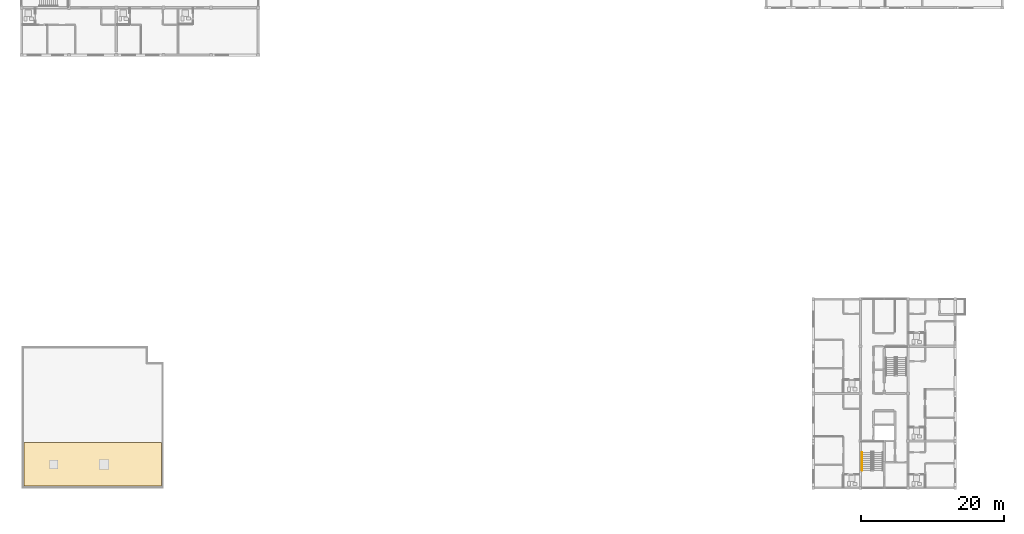
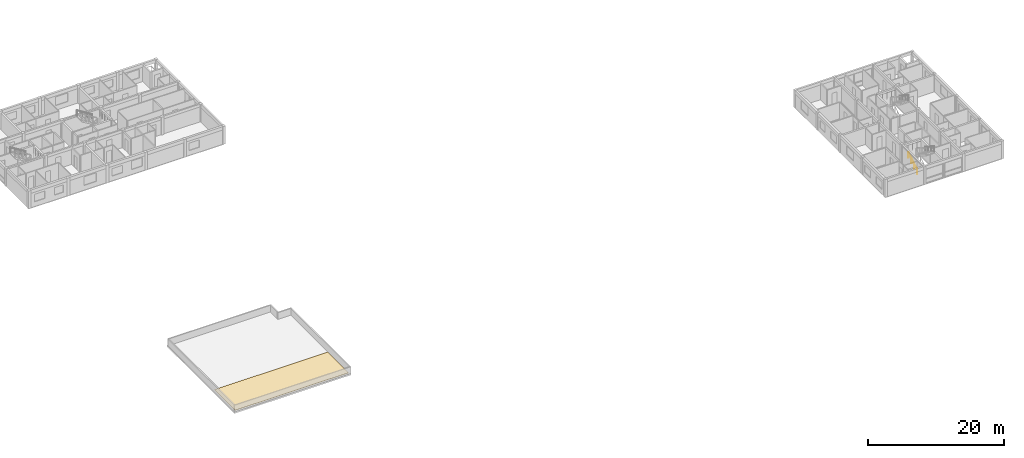
# One storey, part 29 of 34: 1 covering, 1 railing.
"""IFC4 building model written with IfcOpenShell, lengths in metres."""

from ifc_helpers import new_model, si_unit, direction, frame, origin, origin_2d, place, context, subcontext, project, spatial, polyline, circle, outline, extrude, material, layer, layer_set, type_object, element, save


model = new_model("IFC4")

# Units and contexts
model_context = context("Model", 3, precision=1e-05, world=origin(), true_north=direction((0.0, 1.0)))
body_context = subcontext(model_context, "Body", "Model", "MODEL_VIEW")
ifc_project = project(units=[si_unit("LENGTHUNIT", "METRE"), si_unit("AREAUNIT", "SQUARE_METRE"), si_unit("VOLUMEUNIT", "CUBIC_METRE"), si_unit("PLANEANGLEUNIT", "RADIAN"), si_unit("MASSUNIT", "GRAM", prefix="KILO")], contexts=[model_context])

# Site, building, storey
site_placement = place(None, origin())
site = spatial("IfcSite", under=ifc_project, at=site_placement, CompositionType="ELEMENT")
building_placement = place(site_placement, origin())
building = spatial("IfcBuilding", under=site, at=building_placement, Name="Kernevlak Ridge Housing Community", CompositionType="ELEMENT")
storey_placement = place(building_placement, frame((0.0, 0.0, 34.0)))
storey = spatial("IfcBuildingStorey", under=building, at=storey_placement, Name="L10", CompositionType="ELEMENT", Elevation=34.0)

# Covering
ifc_material_1 = material(Name="Cool-white TPO membrane over rigid roof insulation")
ifc_layer = layer(ifc_material_1, 0.06005859375, Name="Cool-white TPO membrane over rigid roof insulation")
ifc_layer_set = layer_set([ifc_layer], Name="Cool-white TPO membrane over rigid roof insulation")
covering_type = type_object("IfcCoveringType", Name="CV-03", PredefinedType="ROOFING", material=ifc_layer_set)
covering_placement = place(storey_placement, origin())
element("IfcCovering", 1, at=covering_placement, inside=storey, type_object=covering_type, Name="Block D south roof membrane", PredefinedType="ROOFING", context=body_context, shape_type="SweptSolid", body=[
    extrude(outline(polyline([(15.89990234375, 15.89990234375), (35.10009765625, 15.89990234375), (35.10009765625, 22.0), (15.89990234375, 22.0), (15.89990234375, 15.89990234375)])), origin(), (0.0, 0.0, 1.0), 0.06005859375),
])

# Railing
ifc_material_2 = material(Name="Stainless steel EN 1.4401", Category="steel")
railing_type = type_object("IfcRailingType", Name="HR-01", PredefinedType="HANDRAIL", material=ifc_material_2)
railing_placement = place(storey_placement, frame((132.820068359375, 18.080078125, 0.159912109375)))
element("IfcRailing", 2, at=railing_placement, inside=storey, type_object=railing_type, Name="Stair ST-C1 L10 flight 1 handrail", PredefinedType="HANDRAIL", context=body_context, shape_type="SweptSolid", body=[
    extrude(circle(Radius=0.02392578125, at=origin_2d()), frame((0.0, 0.0, 0.89599609375), z_axis=(0.0, 0.868217259934, 0.496184229447), x_axis=(-1.0, 0.0, 0.0)), (0.0, 0.0, 1.0), 2.902587890625),
    extrude(circle(Radius=0.02099609375, at=origin_2d()), origin(), (0.0, 0.0, 1.0), 0.871826171875),
    extrude(circle(Radius=0.02099609375, at=origin_2d()), frame((0.0, 0.840087890625, 0.47998046875)), (0.0, 0.0, 1.0), 0.871826171875),
    extrude(circle(Radius=0.02099609375, at=origin_2d()), frame((0.0, 1.679931640625, 0.960205078125)), (0.0, 0.0, 1.0), 0.871826171875),
    extrude(circle(Radius=0.02099609375, at=origin_2d()), frame((0.0, 2.52001953125, 1.440185546875)), (0.0, 0.0, 1.0), 0.871826171875),
])

save(model, "model.ifc")
